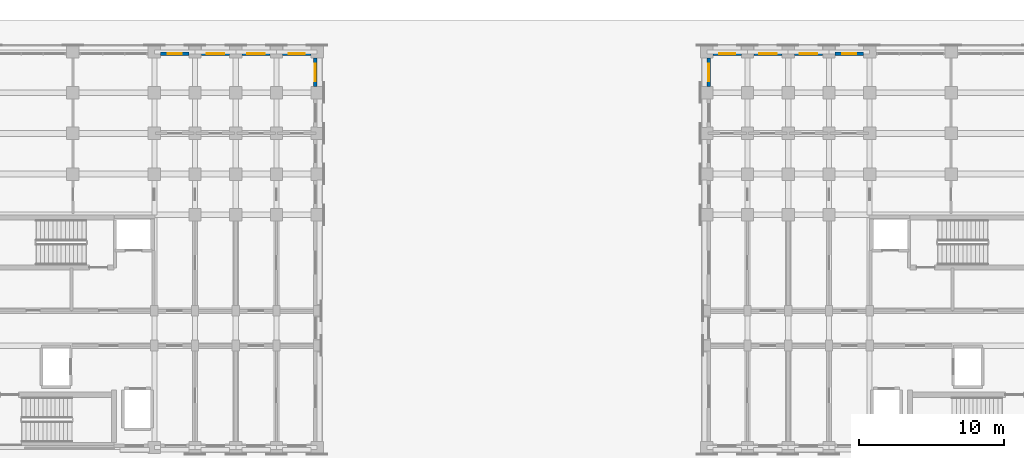
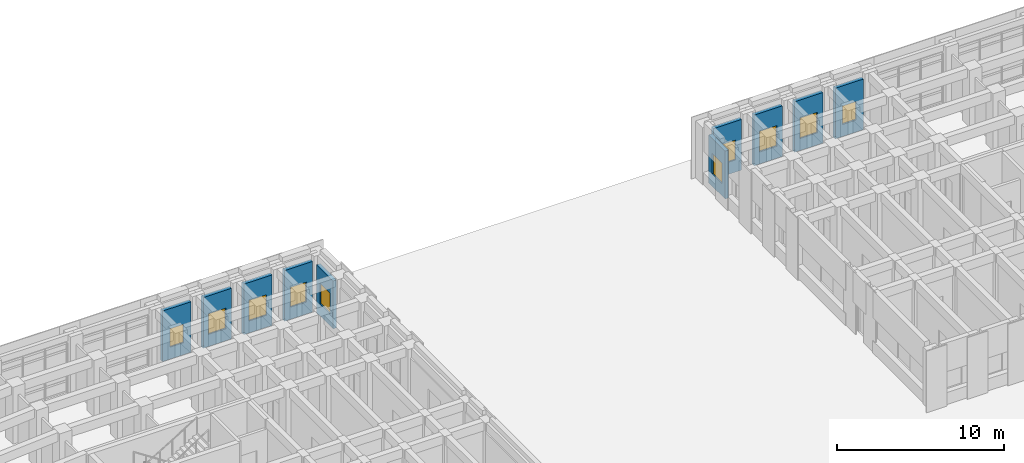
# One storey, part 111 of 135: 10 walls, 10 windows, 10 openings.
"""IFC4 building model written with IfcOpenShell, lengths in metres."""

from ifc_helpers import new_model, si_unit, direction, frame, frame_2d, origin, place, context, subcontext, project, spatial, rectangle, extrude, material, layer, layer_set, type_object, element, fill, save


model = new_model("IFC4")

# Units and contexts
model_context = context("Model", 3, precision=1e-05, world=origin(), true_north=direction((0.0, 1.0)))
body_context = subcontext(model_context, "Body", "Model", "MODEL_VIEW")
ifc_project = project(units=[si_unit("LENGTHUNIT", "METRE"), si_unit("AREAUNIT", "SQUARE_METRE"), si_unit("VOLUMEUNIT", "CUBIC_METRE"), si_unit("PLANEANGLEUNIT", "RADIAN"), si_unit("MASSUNIT", "GRAM", prefix="KILO")], contexts=[model_context])

# Site, building, storey
site_placement = place(None, origin())
site = spatial("IfcSite", under=ifc_project, at=site_placement, CompositionType="ELEMENT")
building_placement = place(site_placement, origin())
building = spatial("IfcBuilding", under=site, at=building_placement, Name="Kiranvali Square Residences", CompositionType="ELEMENT")
storey_placement = place(building_placement, origin())
storey = spatial("IfcBuildingStorey", under=building, at=storey_placement, Name="L00", CompositionType="ELEMENT", Elevation=0.0)

# Wall, opening, window
ifc_material_1 = material(Name="Breathable lime-rendered clay brick masonry", Category="masonry")
ifc_layer = layer(ifc_material_1, 0.25)
ifc_layer_set = layer_set([ifc_layer], Name="Breathable lime-rendered clay brick masonry")
wall_type = type_object("IfcWallType", Name="WL-EXT-250", PredefinedType="STANDARD", material=ifc_layer_set)
wall_1_placement = place(storey_placement, frame((59.82861328125, 133.675048828125, 0.0), z_axis=(0.0, 0.0, 1.0), x_axis=(1.0, 0.0, 0.0)))
wall_1 = element("IfcWall", 1, at=wall_1_placement, inside=storey, type_object=wall_type, Name="L00 exterior wall A-L00-A1O-2", PredefinedType="STANDARD", context=body_context, shape_type="SweptSolid", body=[
    extrude(rectangle(XDim=1.94287109375, YDim=0.25, at=frame_2d((0.971435546875, 0.0))), origin(), (0.0, 0.0, 1.0), 3.69189453125),
])
opening_1_placement = place(wall_1_placement, frame((0.49658203125, 0.0, 0.8798828125)))
opening_1 = element("IfcOpeningElement", 2, at=opening_1_placement, cuts=wall_1, Name="Opening W-16", PredefinedType="OPENING", context=body_context, shape_type="SweptSolid", body=[
    extrude(rectangle(XDim=0.949951171875, YDim=1.35009765625, at=frame_2d((0.47509765625, 0.675048828125))), frame((0.0, 0.135009765625, 0.0), z_axis=(0.0, -1.0, 0.0), x_axis=(1.0, 0.0, 0.0)), (0.0, 0.0, 1.0), 0.27001953125),
])
ifc_material_2 = material(Name="Solar-control low-e double glazing", Category="glass")
window_type_1 = type_object("IfcWindowType", Name="WIN-RES-950x1350", PartitioningType="SINGLE_PANEL", PredefinedType="WINDOW", material=ifc_material_2)
window_1_placement = place(opening_1_placement, origin())
window_1 = element("IfcWindow", 3, at=window_1_placement, inside=storey, type_object=window_type_1, Name="L00 recessed window A-L00-A1O-2", OverallHeight=1.35009765625, OverallWidth=0.949951171875, PartitioningType="SINGLE_PANEL", PredefinedType="WINDOW", context=body_context, shape_type="SweptSolid", body=[
    extrude(rectangle(XDim=0.949951171875, YDim=1.35009765625, at=frame_2d((0.47509765625, 0.675048828125))), frame((0.0, 0.030029296875, 0.0), z_axis=(0.0, -1.0, 0.0), x_axis=(1.0, 0.0, 0.0)), (0.0, 0.0, 1.0), 0.06005859375),
])
fill(opening_1, window_1)

wall_2_placement = place(storey_placement, frame((62.62841796875, 133.675048828125, 0.0), z_axis=(0.0, 0.0, 1.0), x_axis=(1.0, 0.0, 0.0)))
wall_2 = element("IfcWall", 4, at=wall_2_placement, inside=storey, type_object=wall_type, Name="L00 exterior wall A-L00-A1O-3", PredefinedType="STANDARD", context=body_context, shape_type="SweptSolid", body=[
    extrude(rectangle(XDim=1.943115234375, YDim=0.25, at=frame_2d((0.9716796875, 0.0))), origin(), (0.0, 0.0, 1.0), 3.69189453125),
])
opening_2_placement = place(wall_2_placement, frame((0.37158203125, 0.0, 0.8798828125)))
opening_2 = element("IfcOpeningElement", 5, at=opening_2_placement, cuts=wall_2, Name="Opening W-06", PredefinedType="OPENING", context=body_context, shape_type="SweptSolid", body=[
    extrude(rectangle(XDim=1.199951171875, YDim=1.5, at=frame_2d((0.60009765625, 0.75))), frame((0.0, 0.135009765625, 0.0), z_axis=(0.0, -1.0, 0.0), x_axis=(1.0, 0.0, 0.0)), (0.0, 0.0, 1.0), 0.27001953125),
])
window_type_2 = type_object("IfcWindowType", Name="WIN-RES-1200x1500", PartitioningType="SINGLE_PANEL", PredefinedType="WINDOW", material=ifc_material_2)
window_2_placement = place(opening_2_placement, origin())
window_2 = element("IfcWindow", 6, at=window_2_placement, inside=storey, type_object=window_type_2, Name="L00 recessed window A-L00-A1O-3", OverallHeight=1.5, OverallWidth=1.199951171875, PartitioningType="SINGLE_PANEL", PredefinedType="WINDOW", context=body_context, shape_type="SweptSolid", body=[
    extrude(rectangle(XDim=1.199951171875, YDim=1.5, at=frame_2d((0.60009765625, 0.75))), frame((0.0, 0.030029296875, 0.0), z_axis=(0.0, -1.0, 0.0), x_axis=(1.0, 0.0, 0.0)), (0.0, 0.0, 1.0), 0.06005859375),
])
fill(opening_2, window_2)

wall_3_placement = place(storey_placement, frame((65.428466796875, 133.675048828125, 0.0), z_axis=(0.0, 0.0, 1.0), x_axis=(1.0, 0.0, 0.0)))
wall_3 = element("IfcWall", 7, at=wall_3_placement, inside=storey, type_object=wall_type, Name="L00 exterior wall A-L00-A1O-4", PredefinedType="STANDARD", context=body_context, shape_type="SweptSolid", body=[
    extrude(rectangle(XDim=1.943115234375, YDim=0.25, at=frame_2d((0.9716796875, 0.0))), origin(), (0.0, 0.0, 1.0), 3.69189453125),
])
opening_3_placement = place(wall_3_placement, frame((0.37158203125, 0.0, 0.8798828125)))
opening_3 = element("IfcOpeningElement", 8, at=opening_3_placement, cuts=wall_3, Name="Opening W-06", PredefinedType="OPENING", context=body_context, shape_type="SweptSolid", body=[
    extrude(rectangle(XDim=1.199951171875, YDim=1.5, at=frame_2d((0.60009765625, 0.75))), frame((0.0, 0.135009765625, 0.0), z_axis=(0.0, -1.0, 0.0), x_axis=(1.0, 0.0, 0.0)), (0.0, 0.0, 1.0), 0.27001953125),
])
window_3_placement = place(opening_3_placement, origin())
window_3 = element("IfcWindow", 9, at=window_3_placement, inside=storey, type_object=window_type_2, Name="L00 recessed window A-L00-A1O-4", OverallHeight=1.5, OverallWidth=1.199951171875, PartitioningType="SINGLE_PANEL", PredefinedType="WINDOW", context=body_context, shape_type="SweptSolid", body=[
    extrude(rectangle(XDim=1.199951171875, YDim=1.5, at=frame_2d((0.60009765625, 0.75))), frame((0.0, 0.030029296875, 0.0), z_axis=(0.0, -1.0, 0.0), x_axis=(1.0, 0.0, 0.0)), (0.0, 0.0, 1.0), 0.06005859375),
])
fill(opening_3, window_3)

wall_4_placement = place(storey_placement, frame((68.228515625, 133.675048828125, 0.0), z_axis=(0.0, 0.0, 1.0), x_axis=(1.0, 0.0, 0.0)))
wall_4 = element("IfcWall", 10, at=wall_4_placement, inside=storey, type_object=wall_type, Name="L00 exterior wall A-L00-A1O-5", PredefinedType="STANDARD", context=body_context, shape_type="SweptSolid", body=[
    extrude(rectangle(XDim=1.94287109375, YDim=0.25, at=frame_2d((0.971435546875, 0.0))), origin(), (0.0, 0.0, 1.0), 3.69189453125),
])
opening_4_placement = place(wall_4_placement, frame((0.42138671875, 0.0, 0.8798828125)))
opening_4 = element("IfcOpeningElement", 11, at=opening_4_placement, cuts=wall_4, Name="Opening W-15", PredefinedType="OPENING", context=body_context, shape_type="SweptSolid", body=[
    extrude(rectangle(XDim=1.10009765625, YDim=1.449951171875, at=frame_2d((0.550048828125, 0.72509765625))), frame((0.0, 0.135009765625, 0.0), z_axis=(0.0, -1.0, 0.0), x_axis=(1.0, 0.0, 0.0)), (0.0, 0.0, 1.0), 0.27001953125),
])
window_type_3 = type_object("IfcWindowType", Name="WIN-RES-1100x1450", PartitioningType="SINGLE_PANEL", PredefinedType="WINDOW", material=ifc_material_2)
window_4_placement = place(opening_4_placement, origin())
window_4 = element("IfcWindow", 12, at=window_4_placement, inside=storey, type_object=window_type_3, Name="L00 recessed window A-L00-A1O-5", OverallHeight=1.449951171875, OverallWidth=1.10009765625, PartitioningType="SINGLE_PANEL", PredefinedType="WINDOW", context=body_context, shape_type="SweptSolid", body=[
    extrude(rectangle(XDim=1.10009765625, YDim=1.449951171875, at=frame_2d((0.550048828125, 0.72509765625))), frame((0.0, 0.030029296875, 0.0), z_axis=(0.0, -1.0, 0.0), x_axis=(1.0, 0.0, 0.0)), (0.0, 0.0, 1.0), 0.06005859375),
])
fill(opening_4, window_4)

wall_5_placement = place(storey_placement, frame((70.47509765625, 131.419921875, 0.0), z_axis=(0.0, 0.0, 1.0), x_axis=(0.0, 1.0, 0.0)))
wall_5 = element("IfcWall", 13, at=wall_5_placement, inside=storey, type_object=wall_type, Name="L00 exterior wall A-L00-A1END-6", PredefinedType="STANDARD", context=body_context, shape_type="SweptSolid", body=[
    extrude(rectangle(XDim=1.9599609375, YDim=0.25, at=frame_2d((0.97998046875, 0.0))), origin(), (0.0, 0.0, 1.0), 3.491943359375),
])
opening_5_placement = place(wall_5_placement, frame((0.3798828125, 0.0, 0.8798828125)))
opening_5 = element("IfcOpeningElement", 14, at=opening_5_placement, cuts=wall_5, Name="Opening W-06", PredefinedType="OPENING", context=body_context, shape_type="SweptSolid", body=[
    extrude(rectangle(XDim=1.199951171875, YDim=1.5, at=frame_2d((0.60009765625, 0.75))), frame((0.0, 0.135009765625, 0.0), z_axis=(0.0, -1.0, 0.0), x_axis=(1.0, 0.0, 0.0)), (0.0, 0.0, 1.0), 0.27001953125),
])
window_5_placement = place(opening_5_placement, origin())
window_5 = element("IfcWindow", 15, at=window_5_placement, inside=storey, type_object=window_type_2, Name="L00 recessed window A-L00-A1END-6", OverallHeight=1.5, OverallWidth=1.199951171875, PartitioningType="SINGLE_PANEL", PredefinedType="WINDOW", context=body_context, shape_type="SweptSolid", body=[
    extrude(rectangle(XDim=1.199951171875, YDim=1.5, at=frame_2d((0.60009765625, 0.75))), frame((0.0, 0.030029296875, 0.0), z_axis=(0.0, -1.0, 0.0), x_axis=(1.0, 0.0, 0.0)), (0.0, 0.0, 1.0), 0.06005859375),
])
fill(opening_5, window_5)

wall_6_placement = place(storey_placement, frame((108.17138671875, 133.675048828125, 0.0), z_axis=(0.0, 0.0, 1.0), x_axis=(-1.0, 0.0, 0.0)))
wall_6 = element("IfcWall", 16, at=wall_6_placement, inside=storey, type_object=wall_type, Name="L00 exterior wall B-L00-A1O-2", PredefinedType="STANDARD", context=body_context, shape_type="SweptSolid", body=[
    extrude(rectangle(XDim=1.94287109375, YDim=0.25, at=frame_2d((0.971435546875, 0.0))), origin(), (0.0, 0.0, 1.0), 3.69189453125),
])
opening_6_placement = place(wall_6_placement, frame((0.49658203125, 0.0, 0.8798828125)))
opening_6 = element("IfcOpeningElement", 17, at=opening_6_placement, cuts=wall_6, Name="Opening W-16", PredefinedType="OPENING", context=body_context, shape_type="SweptSolid", body=[
    extrude(rectangle(XDim=0.949951171875, YDim=1.35009765625, at=frame_2d((0.47509765625, 0.675048828125))), frame((0.0, 0.135009765625, 0.0), z_axis=(0.0, -1.0, 0.0), x_axis=(1.0, 0.0, 0.0)), (0.0, 0.0, 1.0), 0.27001953125),
])
window_6_placement = place(opening_6_placement, origin())
window_6 = element("IfcWindow", 18, at=window_6_placement, inside=storey, type_object=window_type_1, Name="L00 recessed window B-L00-A1O-2", OverallHeight=1.35009765625, OverallWidth=0.949951171875, PartitioningType="SINGLE_PANEL", PredefinedType="WINDOW", context=body_context, shape_type="SweptSolid", body=[
    extrude(rectangle(XDim=0.949951171875, YDim=1.35009765625, at=frame_2d((0.47509765625, 0.675048828125))), frame((0.0, 0.030029296875, 0.0), z_axis=(0.0, -1.0, 0.0), x_axis=(1.0, 0.0, 0.0)), (0.0, 0.0, 1.0), 0.06005859375),
])
fill(opening_6, window_6)

wall_7_placement = place(storey_placement, frame((105.37158203125, 133.675048828125, 0.0), z_axis=(0.0, 0.0, 1.0), x_axis=(-1.0, 0.0, 0.0)))
wall_7 = element("IfcWall", 19, at=wall_7_placement, inside=storey, type_object=wall_type, Name="L00 exterior wall B-L00-A1O-3", PredefinedType="STANDARD", context=body_context, shape_type="SweptSolid", body=[
    extrude(rectangle(XDim=1.943115234375, YDim=0.25, at=frame_2d((0.9716796875, 0.0))), origin(), (0.0, 0.0, 1.0), 3.69189453125),
])
opening_7_placement = place(wall_7_placement, frame((0.37158203125, 0.0, 0.8798828125)))
opening_7 = element("IfcOpeningElement", 20, at=opening_7_placement, cuts=wall_7, Name="Opening W-06", PredefinedType="OPENING", context=body_context, shape_type="SweptSolid", body=[
    extrude(rectangle(XDim=1.199951171875, YDim=1.5, at=frame_2d((0.60009765625, 0.75))), frame((0.0, 0.135009765625, 0.0), z_axis=(0.0, -1.0, 0.0), x_axis=(1.0, 0.0, 0.0)), (0.0, 0.0, 1.0), 0.27001953125),
])
window_7_placement = place(opening_7_placement, origin())
window_7 = element("IfcWindow", 21, at=window_7_placement, inside=storey, type_object=window_type_2, Name="L00 recessed window B-L00-A1O-3", OverallHeight=1.5, OverallWidth=1.199951171875, PartitioningType="SINGLE_PANEL", PredefinedType="WINDOW", context=body_context, shape_type="SweptSolid", body=[
    extrude(rectangle(XDim=1.199951171875, YDim=1.5, at=frame_2d((0.60009765625, 0.75))), frame((0.0, 0.030029296875, 0.0), z_axis=(0.0, -1.0, 0.0), x_axis=(1.0, 0.0, 0.0)), (0.0, 0.0, 1.0), 0.06005859375),
])
fill(opening_7, window_7)

wall_8_placement = place(storey_placement, frame((102.571533203125, 133.675048828125, 0.0), z_axis=(0.0, 0.0, 1.0), x_axis=(-1.0, 0.0, 0.0)))
wall_8 = element("IfcWall", 22, at=wall_8_placement, inside=storey, type_object=wall_type, Name="L00 exterior wall B-L00-A1O-4", PredefinedType="STANDARD", context=body_context, shape_type="SweptSolid", body=[
    extrude(rectangle(XDim=1.943115234375, YDim=0.25, at=frame_2d((0.9716796875, 0.0))), origin(), (0.0, 0.0, 1.0), 3.69189453125),
])
opening_8_placement = place(wall_8_placement, frame((0.37158203125, 0.0, 0.8798828125)))
opening_8 = element("IfcOpeningElement", 23, at=opening_8_placement, cuts=wall_8, Name="Opening W-06", PredefinedType="OPENING", context=body_context, shape_type="SweptSolid", body=[
    extrude(rectangle(XDim=1.199951171875, YDim=1.5, at=frame_2d((0.60009765625, 0.75))), frame((0.0, 0.135009765625, 0.0), z_axis=(0.0, -1.0, 0.0), x_axis=(1.0, 0.0, 0.0)), (0.0, 0.0, 1.0), 0.27001953125),
])
window_8_placement = place(opening_8_placement, origin())
window_8 = element("IfcWindow", 24, at=window_8_placement, inside=storey, type_object=window_type_2, Name="L00 recessed window B-L00-A1O-4", OverallHeight=1.5, OverallWidth=1.199951171875, PartitioningType="SINGLE_PANEL", PredefinedType="WINDOW", context=body_context, shape_type="SweptSolid", body=[
    extrude(rectangle(XDim=1.199951171875, YDim=1.5, at=frame_2d((0.60009765625, 0.75))), frame((0.0, 0.030029296875, 0.0), z_axis=(0.0, -1.0, 0.0), x_axis=(1.0, 0.0, 0.0)), (0.0, 0.0, 1.0), 0.06005859375),
])
fill(opening_8, window_8)

wall_9_placement = place(storey_placement, frame((99.771484375, 133.675048828125, 0.0), z_axis=(0.0, 0.0, 1.0), x_axis=(-1.0, 0.0, 0.0)))
wall_9 = element("IfcWall", 25, at=wall_9_placement, inside=storey, type_object=wall_type, Name="L00 exterior wall B-L00-A1O-5", PredefinedType="STANDARD", context=body_context, shape_type="SweptSolid", body=[
    extrude(rectangle(XDim=1.94287109375, YDim=0.25, at=frame_2d((0.971435546875, 0.0))), origin(), (0.0, 0.0, 1.0), 3.69189453125),
])
opening_9_placement = place(wall_9_placement, frame((0.42138671875, 0.0, 0.8798828125)))
opening_9 = element("IfcOpeningElement", 26, at=opening_9_placement, cuts=wall_9, Name="Opening W-15", PredefinedType="OPENING", context=body_context, shape_type="SweptSolid", body=[
    extrude(rectangle(XDim=1.10009765625, YDim=1.449951171875, at=frame_2d((0.550048828125, 0.72509765625))), frame((0.0, 0.135009765625, 0.0), z_axis=(0.0, -1.0, 0.0), x_axis=(1.0, 0.0, 0.0)), (0.0, 0.0, 1.0), 0.27001953125),
])
window_9_placement = place(opening_9_placement, origin())
window_9 = element("IfcWindow", 27, at=window_9_placement, inside=storey, type_object=window_type_3, Name="L00 recessed window B-L00-A1O-5", OverallHeight=1.449951171875, OverallWidth=1.10009765625, PartitioningType="SINGLE_PANEL", PredefinedType="WINDOW", context=body_context, shape_type="SweptSolid", body=[
    extrude(rectangle(XDim=1.10009765625, YDim=1.449951171875, at=frame_2d((0.550048828125, 0.72509765625))), frame((0.0, 0.030029296875, 0.0), z_axis=(0.0, -1.0, 0.0), x_axis=(1.0, 0.0, 0.0)), (0.0, 0.0, 1.0), 0.06005859375),
])
fill(opening_9, window_9)

wall_10_placement = place(storey_placement, frame((97.52490234375, 131.419921875, 0.0), z_axis=(0.0, 0.0, 1.0), x_axis=(0.0, 1.0, 0.0)))
wall_10 = element("IfcWall", 28, at=wall_10_placement, inside=storey, type_object=wall_type, Name="L00 exterior wall B-L00-A1END-6", PredefinedType="STANDARD", context=body_context, shape_type="SweptSolid", body=[
    extrude(rectangle(XDim=1.9599609375, YDim=0.25, at=frame_2d((0.97998046875, 0.0))), origin(), (0.0, 0.0, 1.0), 3.491943359375),
])
opening_10_placement = place(wall_10_placement, frame((0.3798828125, 0.0, 0.8798828125)))
opening_10 = element("IfcOpeningElement", 29, at=opening_10_placement, cuts=wall_10, Name="Opening W-06", PredefinedType="OPENING", context=body_context, shape_type="SweptSolid", body=[
    extrude(rectangle(XDim=1.199951171875, YDim=1.5, at=frame_2d((0.60009765625, 0.75))), frame((0.0, 0.135009765625, 0.0), z_axis=(0.0, -1.0, 0.0), x_axis=(1.0, 0.0, 0.0)), (0.0, 0.0, 1.0), 0.27001953125),
])
window_10_placement = place(opening_10_placement, origin())
window_10 = element("IfcWindow", 30, at=window_10_placement, inside=storey, type_object=window_type_2, Name="L00 recessed window B-L00-A1END-6", OverallHeight=1.5, OverallWidth=1.199951171875, PartitioningType="SINGLE_PANEL", PredefinedType="WINDOW", context=body_context, shape_type="SweptSolid", body=[
    extrude(rectangle(XDim=1.199951171875, YDim=1.5, at=frame_2d((0.60009765625, 0.75))), frame((0.0, 0.030029296875, 0.0), z_axis=(0.0, -1.0, 0.0), x_axis=(1.0, 0.0, 0.0)), (0.0, 0.0, 1.0), 0.06005859375),
])
fill(opening_10, window_10)

save(model, "model.ifc")
